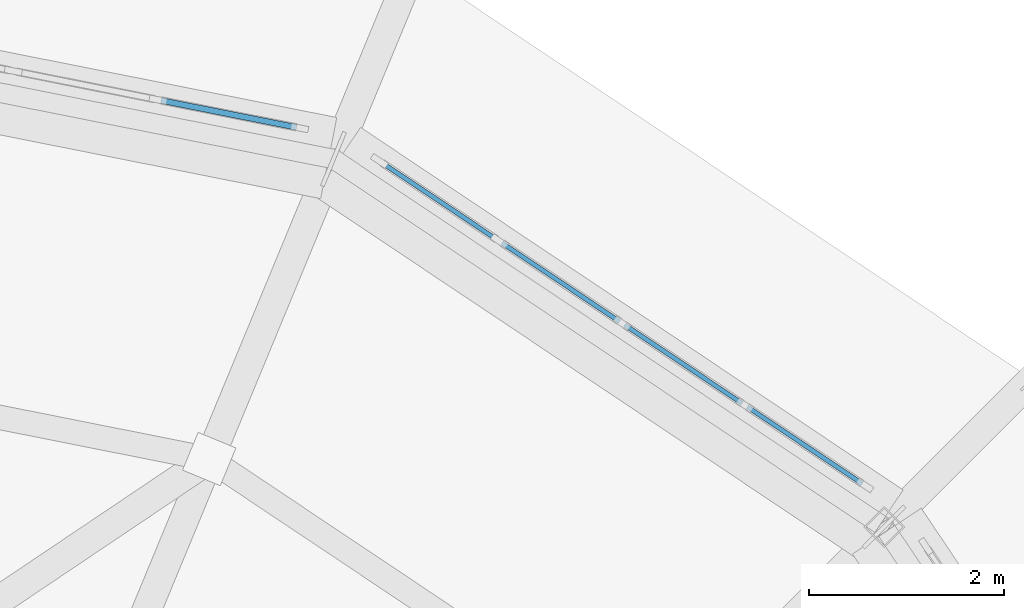
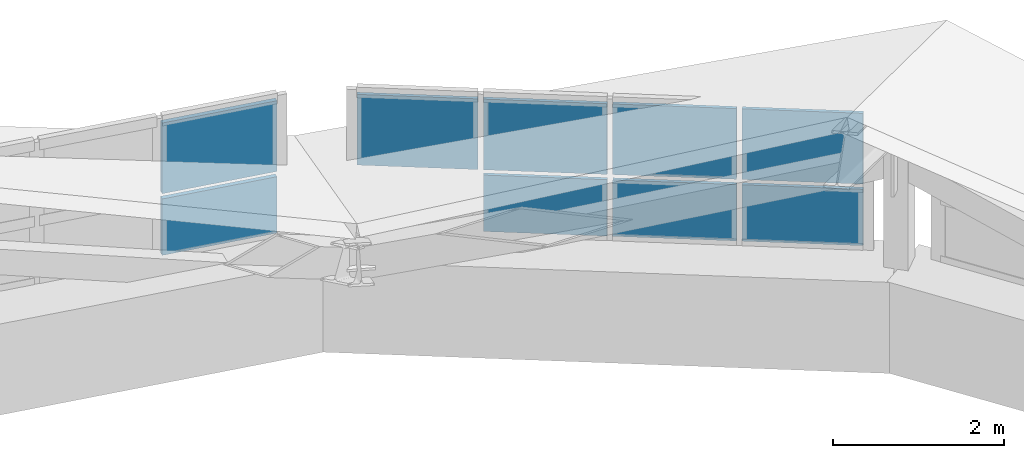
# One storey, part 11 of 18: 9 plates, 2 elements without a shape of their own.
"""IFC4 building model written with IfcOpenShell, lengths in metres."""

import ifcopenshell
import ifcopenshell.guid

model = None  # the IFC model being written
_history = None  # IfcOwnerHistory: only IFC2X3 demands one
_inside = {}  # id of a spatial element -> (the spatial element, [elements in it])
_under = {}  # id of a project, library or spatial element -> (it, [spatial elements below it])
_declared = {}  # id of a project -> (the project, [libraries it declares])
_typed = {}  # id of a type object -> (the type object, [elements of that type])
_made_of = {}  # id of a material, layer set ... -> (it, [elements and type objects made of it])


def new_model(schema):
    """Start an empty IFC model of exactly this schema.

    Asked for "IFC4X3", IfcOpenShell would pick the latest addendum, in which some entities
    have other attributes; the version numbers below select the first issue.
    IFC2X3 requires an IfcOwnerHistory on every rooted entity: one is made here for all.
    """
    global model, _history
    if schema == "IFC4X3":
        model = ifcopenshell.file(schema_version=(4, 3, 0, 0))
    else:
        model = ifcopenshell.file(schema=schema)
    _inside.clear()
    _under.clear()
    _declared.clear()
    _typed.clear()
    _made_of.clear()
    _history = None
    if model.schema == "IFC2X3":
        org = make("IfcOrganization", Name="unknown")
        user = make(
            "IfcPersonAndOrganization",
            ThePerson=make("IfcPerson", FamilyName="unknown"),
            TheOrganization=org,
        )
        app = make(
            "IfcApplication",
            ApplicationDeveloper=org,
            Version="unknown",
            ApplicationFullName="unknown",
            ApplicationIdentifier="unknown",
        )
        _history = make(
            "IfcOwnerHistory",
            OwningUser=user,
            OwningApplication=app,
            ChangeAction="ADDED",
            CreationDate=0,
        )
    return model


def make(cls, **values):
    """One entity of the class cls with the attributes given. An attribute that is None is left unset."""
    return model.create_entity(
        cls, **{name: value for name, value in values.items() if value is not None}
    )


def rooted(cls, **values):
    """An entity with a GlobalId (a new one), such as an element, a storey or a relation."""
    return make(cls, GlobalId=ifcopenshell.guid.new(), OwnerHistory=_history, **values)


def si_unit(unit_type, name, prefix=None):
    """IfcSIUnit, for example si_unit("LENGTHUNIT", "METRE", prefix="MILLI")."""
    return make("IfcSIUnit", UnitType=unit_type, Prefix=prefix, Name=name)


def assignment(units):
    """IfcUnitAssignment: the units of a project."""
    return None if units is None else make("IfcUnitAssignment", Units=units)


def point(xyz):
    """IfcCartesianPoint."""
    return None if xyz is None else make("IfcCartesianPoint", Coordinates=xyz)


def direction(xyz):
    """IfcDirection."""
    return None if xyz is None else make("IfcDirection", DirectionRatios=xyz)


def frame(location, z_axis=None, x_axis=None):
    """IfcAxis2Placement3D, a coordinate frame: its origin and axes. An axis left out is left unset."""
    return make(
        "IfcAxis2Placement3D",
        Location=point(location),
        Axis=direction(z_axis),
        RefDirection=direction(x_axis),
    )


def frame_2d(location, x_axis=None):
    """IfcAxis2Placement2D, a coordinate frame in the plane: its origin and x axis."""
    return make(
        "IfcAxis2Placement2D", Location=point(location), RefDirection=direction(x_axis)
    )


def origin():
    """The frame at (0, 0, 0) with its axes left unset."""
    return frame((0.0, 0.0, 0.0))


def origin_2d():
    """The frame at (0, 0) in the plane with its x axis left unset."""
    return frame_2d((0.0, 0.0))


def place(relative_to, where):
    """IfcLocalPlacement: puts the frame where relative to a parent placement (None: the world)."""
    return make(
        "IfcLocalPlacement", PlacementRelTo=relative_to, RelativePlacement=where
    )


def context(
    kind, dimensions, precision=None, world=None, true_north=None, identifier=None
):
    """IfcGeometricRepresentationContext, for example the 3D "Model" context."""
    return make(
        "IfcGeometricRepresentationContext",
        ContextIdentifier=identifier,
        ContextType=kind,
        CoordinateSpaceDimension=dimensions,
        Precision=precision,
        WorldCoordinateSystem=world,
        TrueNorth=true_north,
    )


def subcontext(parent, identifier, kind, view, scale=None):
    """IfcGeometricRepresentationSubContext, for example "Body" below "Model"."""
    return make(
        "IfcGeometricRepresentationSubContext",
        ContextIdentifier=identifier,
        ContextType=kind,
        ParentContext=parent,
        TargetScale=scale,
        TargetView=view,
    )


def project(units=None, contexts=None):
    """IfcProject with its units and contexts."""
    return rooted(
        "IfcProject",
        Name="project",
        RepresentationContexts=contexts,
        UnitsInContext=assignment(units),
    )


def spatial(cls, under=None, at=None, **own):
    """A site, building, storey or space (cls), placed at a placement, below another one or the project."""
    s = rooted(cls, ObjectPlacement=at, **own)
    if under is not None:
        _under.setdefault(under.id(), (under, []))[1].append(s)
    return s


def profile(cls, at=None, kind="AREA", **sizes):
    """A parametric profile (cls). Its sizes go by their IFC names, for example OverallWidth=200.0."""
    return make(cls, ProfileType=kind, Position=at, **sizes)


def rectangle(**sizes):
    """IfcRectangleProfileDef."""
    return profile("IfcRectangleProfileDef", **sizes)


def extrude(swept, where, along, depth):
    """IfcExtrudedAreaSolid: the profile swept, set in the frame where, extruded along a direction by depth."""
    return make(
        "IfcExtrudedAreaSolid",
        SweptArea=swept,
        Position=where,
        ExtrudedDirection=direction(along),
        Depth=depth,
    )


def shape(context_of_items, identifier, shape_type, items):
    """IfcShapeRepresentation: the items that make up one representation, for example the "Body"."""
    return make(
        "IfcShapeRepresentation",
        ContextOfItems=context_of_items,
        RepresentationIdentifier=identifier,
        RepresentationType=shape_type,
        Items=items,
    )


def material(Name=None, Category=None):
    """IfcMaterial."""
    return make("IfcMaterial", Name=Name, Category=Category)


def layer(
    of_material, thickness, ventilated=None, Name=None, Category=None, Priority=None
):
    """IfcMaterialLayer: one layer of a wall or slab, of a material (None: an air gap)."""
    return make(
        "IfcMaterialLayer",
        Material=of_material,
        LayerThickness=thickness,
        IsVentilated=ventilated,
        Name=Name,
        Category=Category,
        Priority=Priority,
    )


def layer_set(layers, Name=None):
    """IfcMaterialLayerSet."""
    return make("IfcMaterialLayerSet", MaterialLayers=layers, LayerSetName=Name)


def made_of(thing, what):
    """Note that an element or type object is made of a material, layer set ...; save() writes the relation."""
    if what is not None:
        _made_of.setdefault(what.id(), (what, []))[1].append(thing)
    return thing


def type_object(cls, material=None, **own):
    """A type object (cls), such as IfcWallType, which elements share."""
    return made_of(rooted(cls, **own), material)


def element(
    cls,
    number,
    at=None,
    inside=None,
    cuts=None,
    type_object=None,
    material=None,
    context=None,
    identifier="Body",
    shape_type=None,
    held_by="IfcProductDefinitionShape",
    body=None,
    shapes=None,
    **own,
):
    """One element of the class cls, such as IfcWall. Its Tag is "e" and its number.

    at: its placement. inside: the storey or other place that contains it. cuts: it is an
    opening in that element (IfcRelVoidsElement). A single representation is given by context,
    identifier, shape_type and body (its items); several are given by shapes. held_by: the class
    of the entity that holds the representations. save() writes the other relations.
    """
    e = rooted(cls, Tag="e%d" % number, ObjectPlacement=at, **own)
    if body is not None:
        shapes = [shape(context, identifier, shape_type, body)]
    if shapes is not None:
        e.Representation = make(held_by, Representations=shapes)
    if inside is not None:
        _inside.setdefault(inside.id(), (inside, []))[1].append(e)
    if cuts is not None:
        rooted(
            "IfcRelVoidsElement", RelatingBuildingElement=cuts, RelatedOpeningElement=e
        )
    if type_object is not None:
        _typed.setdefault(type_object.id(), (type_object, []))[1].append(e)
    return made_of(e, material)


def aggregate(whole, parts):
    """IfcRelAggregates: a whole, such as a stair, and the parts it consists of."""
    return rooted("IfcRelAggregates", RelatingObject=whole, RelatedObjects=parts)


def save(model, path):
    """Write the relations noted so far, then the file.

    IfcRelAggregates (storeys below a building ...), IfcRelContainedInSpatialStructure (elements
    in a storey), IfcRelDefinesByType, IfcRelAssociatesMaterial and IfcRelDeclares: one each for
    every whole, place, type object, material and project.
    """
    for whole, parts in _under.values():
        aggregate(whole, parts)
    for where, things in _inside.values():
        rooted(
            "IfcRelContainedInSpatialStructure",
            RelatedElements=things,
            RelatingStructure=where,
        )
    for kind, things in _typed.values():
        rooted("IfcRelDefinesByType", RelatedObjects=things, RelatingType=kind)
    for what, things in _made_of.values():
        rooted("IfcRelAssociatesMaterial", RelatedObjects=things, RelatingMaterial=what)
    for by, libraries in _declared.values():
        rooted("IfcRelDeclares", RelatingContext=by, RelatedDefinitions=libraries)
    model.write(path)


model = new_model("IFC4")

# Units and contexts
model_context = context("Model", 3, precision=1e-05, world=origin(), true_north=direction((0.0, 1.0)))
body_context = subcontext(model_context, "Body", "Model", "MODEL_VIEW")
ifc_project = project(units=[si_unit("LENGTHUNIT", "METRE"), si_unit("AREAUNIT", "SQUARE_METRE"), si_unit("VOLUMEUNIT", "CUBIC_METRE"), si_unit("PLANEANGLEUNIT", "RADIAN"), si_unit("MASSUNIT", "GRAM", prefix="KILO")], contexts=[model_context])

# Site, building, storey
site_placement = place(None, origin())
site = spatial("IfcSite", under=ifc_project, at=site_placement, CompositionType="ELEMENT")
building_placement = place(site_placement, origin())
building = spatial("IfcBuilding", under=site, at=building_placement, Name="Soyqirgoq Riverine Aquarium", CompositionType="ELEMENT")
storey_placement = place(building_placement, frame((0.0, 0.0, 29.39990234375)))
storey = spatial("IfcBuildingStorey", under=building, at=storey_placement, Name="RF", CompositionType="ELEMENT", Elevation=29.39990234375)

# Curtain wall, plates
ifc_material_1 = material(Name="Anodised aluminium acoustic solar-control clerestory glazing", Category="aluminium")
curtain_wall_type = type_object("IfcCurtainWallType", Name="CW_Clerestory_Ring", PredefinedType="NOTDEFINED", material=ifc_material_1)
curtain_wall_1_placement = place(storey_placement, origin())
curtain_wall_1 = element("IfcCurtainWall", 1, at=curtain_wall_1_placement, inside=storey, type_object=curtain_wall_type, Name="V1 RF Curtain Wall 011", PredefinedType="NOTDEFINED")
ifc_material_2 = material(Name="Triple insulated laminated low-E glass", Category="glass")
ifc_layer_1 = layer(ifc_material_2, 0.0458984375)
ifc_layer_set_1 = layer_set([ifc_layer_1], Name="Triple insulated laminated low-E glass")
plate_type_1 = type_object("IfcPlateType", Name="CWGlazedPanel_46", PredefinedType="CURTAIN_PANEL", material=ifc_layer_set_1)
plate_1_placement = place(storey_placement, frame((67.522705078125, 70.179443359375, 0.05517578125), z_axis=(0.0, 0.0, 1.0), x_axis=(-0.831463994905, 0.555578639957, 0.0)))
plate_1 = element("IfcPlate", 2, at=plate_1_placement, type_object=plate_type_1, Name="CW-02 panel 1.1", PredefinedType="CURTAIN_PANEL", context=body_context, shape_type="SweptSolid", body=[
    extrude(rectangle(XDim=1.419189453125, YDim=0.0458984375, at=origin_2d()), origin(), (0.0, 0.0, 1.0), 0.805419921875),
])
plate_2_placement = place(storey_placement, frame((67.522705078125, 70.179443359375, 0.935546875), z_axis=(0.0, 0.0, 1.0), x_axis=(-0.831463994905, 0.555578639957, 0.0)))
plate_2 = element("IfcPlate", 3, at=plate_2_placement, type_object=plate_type_1, Name="CW-02 panel 1.2", PredefinedType="CURTAIN_PANEL", context=body_context, shape_type="SweptSolid", body=[
    extrude(rectangle(XDim=1.419189453125, YDim=0.0458984375, at=origin_2d()), origin(), (0.0, 0.0, 1.0), 1.009521484375),
])
plate_3_placement = place(storey_placement, frame((66.275146484375, 71.012939453125, 0.05517578125), z_axis=(0.0, 0.0, 1.0), x_axis=(-0.831463994905, 0.555578639957, 0.0)))
plate_3 = element("IfcPlate", 4, at=plate_3_placement, type_object=plate_type_1, Name="CW-02 panel 2.1", PredefinedType="CURTAIN_PANEL", context=body_context, shape_type="SweptSolid", body=[
    extrude(rectangle(XDim=1.45166015625, YDim=0.0458984375, at=origin_2d()), origin(), (0.0, 0.0, 1.0), 0.805419921875),
])
plate_4_placement = place(storey_placement, frame((66.275146484375, 71.012939453125, 0.935546875), z_axis=(0.0, 0.0, 1.0), x_axis=(-0.831463994905, 0.555578639957, 0.0)))
plate_4 = element("IfcPlate", 5, at=plate_4_placement, type_object=plate_type_1, Name="CW-02 panel 2.2", PredefinedType="CURTAIN_PANEL", context=body_context, shape_type="SweptSolid", body=[
    extrude(rectangle(XDim=1.45166015625, YDim=0.0458984375, at=origin_2d()), origin(), (0.0, 0.0, 1.0), 1.009521484375),
])
plate_5_placement = place(storey_placement, frame((65.01416015625, 71.85546875, 0.05517578125), z_axis=(0.0, 0.0, 1.0), x_axis=(-0.831463994905, 0.555578639957, 0.0)))
plate_5 = element("IfcPlate", 6, at=plate_5_placement, type_object=plate_type_1, Name="CW-02 panel 3.1", PredefinedType="CURTAIN_PANEL", context=body_context, shape_type="SweptSolid", body=[
    extrude(rectangle(XDim=1.45166015625, YDim=0.0458984375, at=origin_2d()), origin(), (0.0, 0.0, 1.0), 0.805419921875),
])
plate_6_placement = place(storey_placement, frame((65.01416015625, 71.85546875, 0.935546875), z_axis=(0.0, 0.0, 1.0), x_axis=(-0.831463994905, 0.555578639957, 0.0)))
plate_6 = element("IfcPlate", 7, at=plate_6_placement, type_object=plate_type_1, Name="CW-02 panel 3.2", PredefinedType="CURTAIN_PANEL", context=body_context, shape_type="SweptSolid", body=[
    extrude(rectangle(XDim=1.45166015625, YDim=0.0458984375, at=origin_2d()), origin(), (0.0, 0.0, 1.0), 1.009521484375),
])
plate_7_placement = place(storey_placement, frame((63.7666015625, 72.68896484375, 0.935546875), z_axis=(0.0, 0.0, 1.0), x_axis=(-0.831463994905, 0.555578639957, 0.0)))
plate_7 = element("IfcPlate", 8, at=plate_7_placement, type_object=plate_type_1, Name="CW-02 panel 4.2", PredefinedType="CURTAIN_PANEL", context=body_context, shape_type="SweptSolid", body=[
    extrude(rectangle(XDim=1.419189453125, YDim=0.0458984375, at=origin_2d()), origin(), (0.0, 0.0, 1.0), 1.009521484375),
])
aggregate(curtain_wall_1, [plate_1, plate_2, plate_3, plate_4, plate_5, plate_6, plate_7])

curtain_wall_2_placement = place(storey_placement, origin())
curtain_wall_2 = element("IfcCurtainWall", 9, at=curtain_wall_2_placement, inside=storey, type_object=curtain_wall_type, Name="V1 RF Curtain Wall 018", PredefinedType="NOTDEFINED")
ifc_material_3 = material(Name="Insulated shadow-box aluminium spandrel panel", Category="aluminium")
ifc_layer_2 = layer(ifc_material_3, 0.06005859375)
ifc_layer_set_2 = layer_set([ifc_layer_2], Name="Insulated shadow-box aluminium spandrel panel")
plate_type_2 = type_object("IfcPlateType", Name="CWSpandrelPanel_60", PredefinedType="CURTAIN_PANEL", material=ifc_layer_set_2)
plate_8_placement = place(storey_placement, frame((61.60205078125, 73.585693359375, 0.05517578125), z_axis=(0.0, 0.0, 1.0), x_axis=(-0.980784299821, 0.19509525167, 0.0)))
plate_8 = element("IfcPlate", 10, at=plate_8_placement, type_object=plate_type_2, Name="CW-02 panel 1.1", PredefinedType="CURTAIN_PANEL", context=body_context, shape_type="SweptSolid", body=[
    extrude(rectangle(XDim=1.4189453125, YDim=0.06005859375, at=origin_2d()), origin(), (0.0, 0.0, 1.0), 0.805419921875),
])
plate_9_placement = place(storey_placement, frame((61.60205078125, 73.585693359375, 0.935546875), z_axis=(0.0, 0.0, 1.0), x_axis=(-0.980784299821, 0.19509525167, 0.0)))
plate_9 = element("IfcPlate", 11, at=plate_9_placement, type_object=plate_type_2, Name="CW-02 panel 1.2", PredefinedType="CURTAIN_PANEL", context=body_context, shape_type="SweptSolid", body=[
    extrude(rectangle(XDim=1.4189453125, YDim=0.06005859375, at=origin_2d()), origin(), (0.0, 0.0, 1.0), 1.009521484375),
])
aggregate(curtain_wall_2, [plate_8, plate_9])

save(model, "model.ifc")
